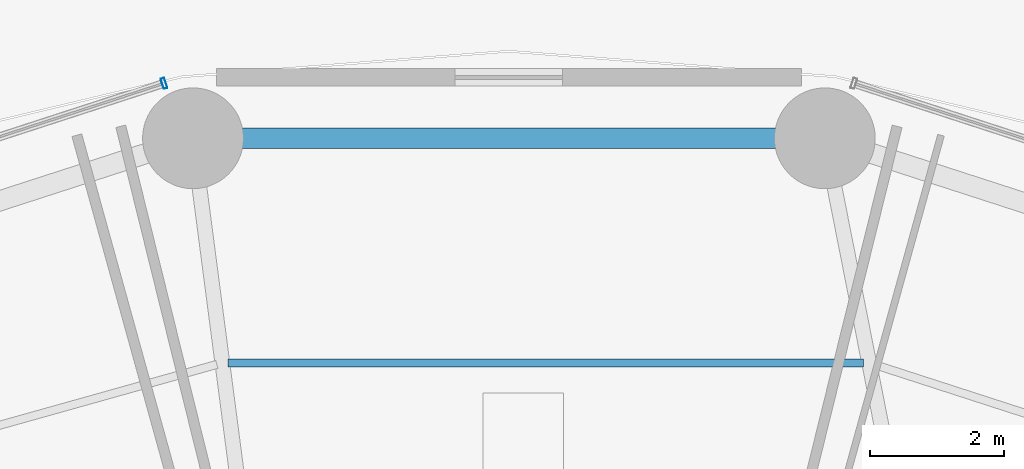
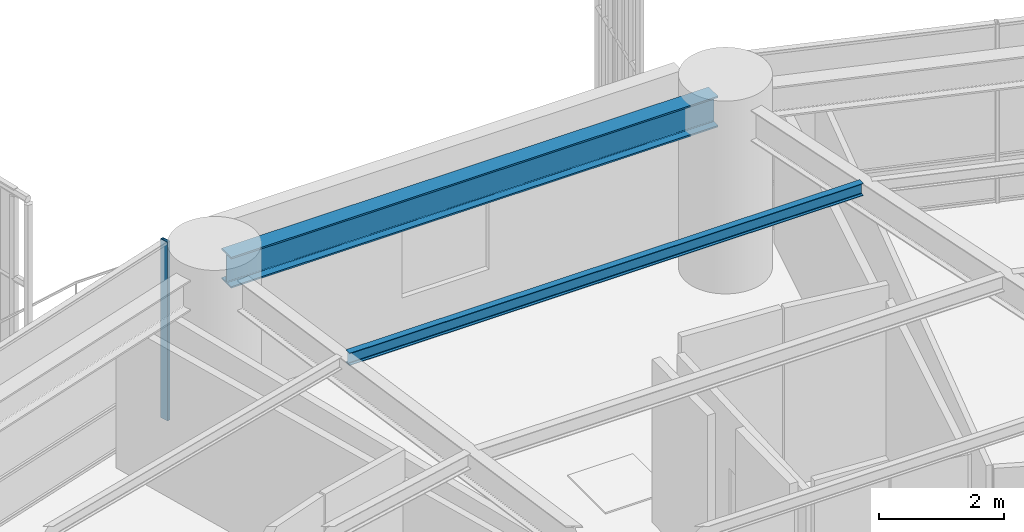
# One storey, part 18 of 34: 2 beams, 1 member, 1 element without a shape of its own.
"""IFC4 building model written with IfcOpenShell, lengths in metres."""

from ifc_helpers import new_model, si_unit, direction, frame, origin, origin_2d, place, context, subcontext, project, spatial, hollow_rectangle, i_section, extrude, material, layer, layer_set, material_profile, profile_set, type_object, element, aggregate, save


model = new_model("IFC4")

# Units and contexts
model_context = context("Model", 3, precision=1e-05, world=origin(), true_north=direction((0.0, 1.0)))
body_context = subcontext(model_context, "Body", "Model", "MODEL_VIEW")
ifc_project = project(units=[si_unit("LENGTHUNIT", "METRE"), si_unit("AREAUNIT", "SQUARE_METRE"), si_unit("VOLUMEUNIT", "CUBIC_METRE"), si_unit("PLANEANGLEUNIT", "RADIAN"), si_unit("MASSUNIT", "GRAM", prefix="KILO")], contexts=[model_context])

# Site, building, storey
site_placement = place(None, origin())
site = spatial("IfcSite", under=ifc_project, at=site_placement, CompositionType="ELEMENT")
building_placement = place(site_placement, origin())
building = spatial("IfcBuilding", under=site, at=building_placement, Name="Kelanora Arch Commons", CompositionType="ELEMENT")
storey_placement = place(building_placement, frame((0.0, 0.0, 30.0)))
storey = spatial("IfcBuildingStorey", under=building, at=storey_placement, Name="L07", CompositionType="ELEMENT", Elevation=30.0)

# Beams
ifc_material_1 = material(Name="Steel S355", Category="steel")
ifc_material_profile_1 = material_profile(ifc_material_1, i_section(OverallWidth=0.1201171875, OverallDepth=0.239990234375, WebThickness=0.006103515625, FlangeThickness=0.009765625, FilletRadius=0.014892578125, at=origin_2d()), Name="IPE240")
ifc_profile_set_1 = profile_set([ifc_material_profile_1], Name="Steel S355")
beam_type_1 = type_object("IfcBeamType", Name="BM-JST-02", PredefinedType="JOIST", material=ifc_profile_set_1)
beam_1_placement = place(storey_placement, frame((79.27685546875, 78.371337890625, 3.3701171875), z_axis=(-1.0, 0.0, 0.0), x_axis=(0.0, -1.0, 0.0)))
element("IfcBeam", 1, at=beam_1_placement, inside=storey, type_object=beam_type_1, Name="Secondary Chord Joist BJC-08 L07", PredefinedType="JOIST", context=body_context, shape_type="SweptSolid", body=[
    extrude(i_section(OverallWidth=0.1201171875, OverallDepth=0.239990234375, WebThickness=0.006103515625, FlangeThickness=0.009765625, FilletRadius=0.014892578125, at=origin_2d()), origin(), (0.0, 0.0, 1.0), 9.457763671875),
])
ifc_material_profile_2 = material_profile(ifc_material_1, i_section(OverallWidth=0.300048828125, OverallDepth=0.60009765625, WebThickness=0.015380859375, FlangeThickness=0.030029296875, FilletRadius=0.027099609375, at=origin_2d()), Name="HEB600")
ifc_profile_set_2 = profile_set([ifc_material_profile_2], Name="Steel S355")
beam_type_2 = type_object("IfcBeamType", Name="BM-SPN-Z1", PredefinedType="SPANDREL", material=ifc_profile_set_2)
beam_2_placement = place(storey_placement, frame((78.482421875, 81.714111328125, 3.18994140625), z_axis=(-1.0, 0.0, 0.0), x_axis=(0.0, -1.0, 0.0)))
element("IfcBeam", 2, at=beam_2_placement, inside=storey, type_object=beam_type_2, Name="Perimeter Spandrel Beam BS-08 L07", PredefinedType="SPANDREL", context=body_context, shape_type="SweptSolid", body=[
    extrude(i_section(OverallWidth=0.300048828125, OverallDepth=0.60009765625, WebThickness=0.015380859375, FlangeThickness=0.030029296875, FilletRadius=0.027099609375, at=origin_2d()), origin(), (0.0, 0.0, 1.0), 8.96484375),
])

# Curtain wall, member
ifc_material_2 = material(Name="Terracotta ceramic-fritted low-E glass and aluminium", Category="masonry")
ifc_layer = layer(ifc_material_2, 0.159912109375)
ifc_layer_set = layer_set([ifc_layer], Name="Terracotta ceramic-fritted low-E glass and aluminium")
curtain_wall_type = type_object("IfcCurtainWallType", Name="CW-SYS-01", PredefinedType="NOTDEFINED", material=ifc_layer_set)
curtain_wall_placement = place(storey_placement, origin())
curtain_wall = element("IfcCurtainWall", 3, at=curtain_wall_placement, inside=storey, type_object=curtain_wall_type, Name="Unitised Curtain Wall L07-B05", PredefinedType="NOTDEFINED")
ifc_material_3 = material(Name="Powder-coated aluminium terracotta", Category="masonry")
ifc_material_profile_3 = material_profile(ifc_material_3, hollow_rectangle(XDim=0.159912109375, YDim=0.06005859375, WallThickness=0.0048828125, InnerFilletRadius=0.0048828125, OuterFilletRadius=0.010009765625, at=origin_2d()), Name="CWM160x60")
ifc_profile_set_3 = profile_set([ifc_material_profile_3], Name="Powder-coated aluminium terracotta")
member_type = type_object("IfcMemberType", Name="CWM-STD", PredefinedType="MULLION", material=ifc_profile_set_3)
member_placement = place(storey_placement, frame((68.865478515625, 82.53173828125, 0.0), z_axis=(0.0, 0.0, 1.0), x_axis=(0.30905758454, -0.951043326793, 0.0)))
member = element("IfcMember", 4, at=member_placement, type_object=member_type, Name="CW-01 mullion 1", PredefinedType="MULLION", context=body_context, shape_type="SweptSolid", body=[
    extrude(hollow_rectangle(XDim=0.159912109375, YDim=0.06005859375, WallThickness=0.0048828125, InnerFilletRadius=0.0048828125, OuterFilletRadius=0.010009765625, at=origin_2d()), origin(), (0.0, 0.0, 1.0), 3.47509765625),
])
aggregate(curtain_wall, [member])

save(model, "model.ifc")
